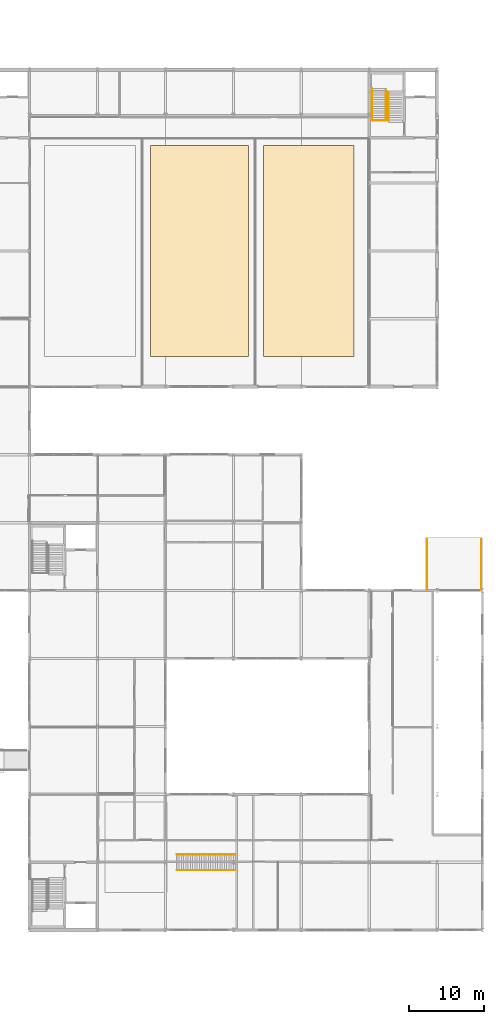
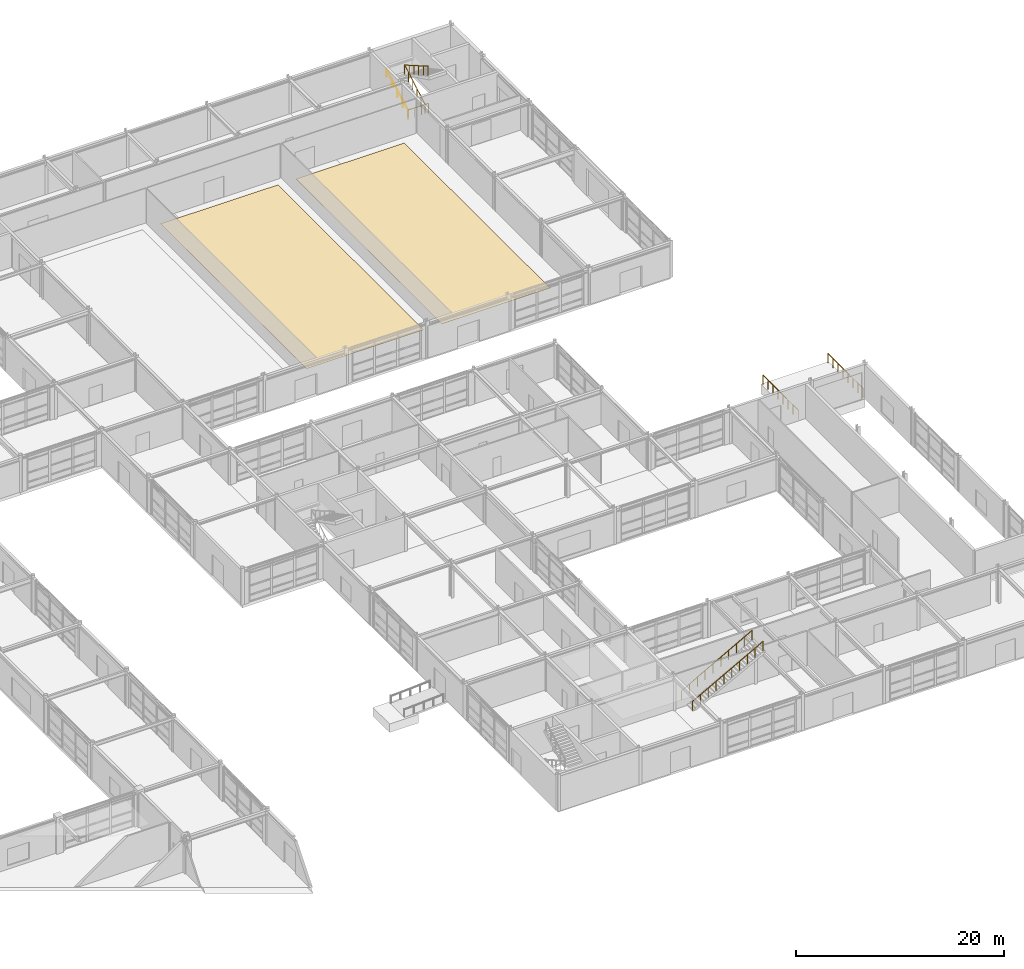
# One storey, part 72 of 72: 7 railings, 2 coverings.
"""IFC4 building model written with IfcOpenShell, lengths in metres."""

from ifc_helpers import new_model, si_unit, direction, frame, origin, origin_2d, place, context, subcontext, project, spatial, polyline, circle, outline, extrude, material, layer, layer_set, type_object, element, save


model = new_model("IFC4")

# Units and contexts
model_context = context("Model", 3, precision=1e-05, world=origin(), true_north=direction((0.0, 1.0)))
body_context = subcontext(model_context, "Body", "Model", "MODEL_VIEW")
ifc_project = project(units=[si_unit("LENGTHUNIT", "METRE"), si_unit("AREAUNIT", "SQUARE_METRE"), si_unit("VOLUMEUNIT", "CUBIC_METRE"), si_unit("PLANEANGLEUNIT", "RADIAN"), si_unit("MASSUNIT", "GRAM", prefix="KILO")], contexts=[model_context])

# Site, building, storey
site_placement = place(None, origin())
site = spatial("IfcSite", under=ifc_project, at=site_placement, CompositionType="ELEMENT")
building_placement = place(site_placement, origin())
building = spatial("IfcBuilding", under=site, at=building_placement, Name="Palais des Congres Ocreval", CompositionType="ELEMENT")
storey_placement = place(building_placement, origin())
storey = spatial("IfcBuildingStorey", under=building, at=storey_placement, Name="L00", CompositionType="ELEMENT", Elevation=0.0)

# Railing
ifc_material_1 = material(Name="Anodized bronze aluminium", Category="aluminium")
railing_type_1 = type_object("IfcRailingType", Name="Bronze Stair and Ramp Handrail 900", PredefinedType="HANDRAIL", material=ifc_material_1)
railing_1_placement = place(storey_placement, frame((153.3798828125, 107.35009765625, 0.159912109375)))
element("IfcRailing", 1, at=railing_1_placement, inside=storey, type_object=railing_type_1, Name="Stair Wall Handrail ST08 L00", PredefinedType="HANDRAIL", context=body_context, shape_type="SweptSolid", body=[
    extrude(circle(Radius=0.02392578125, at=origin_2d()), frame((0.0, 0.0, 0.8759765625), z_axis=(0.0, 0.882351521365, 0.470590897432), x_axis=(-1.0, 0.0, 0.0)), (0.0, 0.0, 1.0), 4.760009765625),
    extrude(circle(Radius=0.02099609375, at=origin_2d()), origin(), (0.0, 0.0, 1.0), 0.851806640625),
    extrude(circle(Radius=0.02099609375, at=origin_2d()), frame((0.0, 1.050048828125, 0.56005859375)), (0.0, 0.0, 1.0), 0.851806640625),
    extrude(circle(Radius=0.02099609375, at=origin_2d()), frame((0.0, 2.10009765625, 1.1201171875)), (0.0, 0.0, 1.0), 0.851806640625),
    extrude(circle(Radius=0.02099609375, at=origin_2d()), frame((0.0, 3.14990234375, 1.679931640625)), (0.0, 0.0, 1.0), 0.851806640625),
    extrude(circle(Radius=0.02099609375, at=origin_2d()), frame((0.0, 4.199951171875, 2.239990234375)), (0.0, 0.0, 1.0), 0.851806640625),
])

# Coverings
ifc_material_2 = material(Name="Solid French oak", Category="wood")
ifc_layer = layer(ifc_material_2, 0.02490234375)
ifc_layer_set = layer_set([ifc_layer], Name="French Oak and Lutetian Stone Flooring 25 (Solid French oak)")
covering_type = type_object("IfcCoveringType", Name="French Oak and Lutetian Stone Flooring 25", PredefinedType="FLOORING", material=ifc_layer_set)
covering_1_placement = place(storey_placement, origin())
element("IfcCovering", 2, at=covering_1_placement, inside=storey, type_object=covering_type, Name="Ballroom Salon B Parquet Flooring", PredefinedType="FLOORING", context=body_context, shape_type="SweptSolid", body=[
    extrude(outline(polyline([(124.0, 76.0), (137.0, 76.0), (137.0, 104.0), (124.0, 104.0), (124.0, 76.0)])), origin(), (0.0, 0.0, 1.0), 0.02490234375),
])
covering_2_placement = place(storey_placement, origin())
element("IfcCovering", 3, at=covering_2_placement, inside=storey, type_object=covering_type, Name="Ballroom Salon C Parquet Flooring", PredefinedType="FLOORING", context=body_context, shape_type="SweptSolid", body=[
    extrude(outline(polyline([(139.0, 76.0), (151.0, 76.0), (151.0, 104.0), (139.0, 104.0), (139.0, 76.0)])), origin(), (0.0, 0.0, 1.0), 0.02490234375),
])

# Railings
ifc_material_3 = material(Name="Steel S355", Category="steel")
railing_type_2 = type_object("IfcRailingType", Name="Stairwell Steel Guardrail 1100", PredefinedType="GUARDRAIL", material=ifc_material_3)
railing_2_placement = place(storey_placement, frame((153.320068359375, 107.300048828125, 0.0)))
element("IfcRailing", 4, at=railing_2_placement, inside=storey, type_object=railing_type_2, Name="Stairwell Landing Edge Guard ST08 L00", PredefinedType="GUARDRAIL", context=body_context, shape_type="SweptSolid", body=[
    extrude(circle(Radius=0.02392578125, at=origin_2d()), frame((0.0, 0.0, 1.076171875), z_axis=(1.0, 0.0, 0.0), x_axis=(0.0, 1.0, 0.0)), (0.0, 0.0, 1.0), 2.25),
    extrude(circle(Radius=0.02099609375, at=origin_2d()), origin(), (0.0, 0.0, 1.0), 1.052001953125),
    extrude(circle(Radius=0.02099609375, at=origin_2d()), frame((0.75, 0.0, 0.0)), (0.0, 0.0, 1.0), 1.052001953125),
    extrude(circle(Radius=0.02099609375, at=origin_2d()), frame((1.5, 0.0, 0.0)), (0.0, 0.0, 1.0), 1.052001953125),
    extrude(circle(Radius=0.02099609375, at=origin_2d()), frame((2.25, 0.0, 0.0)), (0.0, 0.0, 1.0), 1.052001953125),
])
railing_3_placement = place(storey_placement, frame((155.22998046875, 107.35009765625, 0.0)))
element("IfcRailing", 5, at=railing_3_placement, inside=storey, type_object=railing_type_2, Name="Stair Inner Guardrail ST08 L00", PredefinedType="GUARDRAIL", context=body_context, shape_type="SweptSolid", body=[
    extrude(circle(Radius=0.02392578125, at=origin_2d()), frame((0.0, 0.0, 1.076171875), z_axis=(0.0, 0.867141957756, 0.498061065632), x_axis=(-1.0, 0.0, 0.0)), (0.0, 0.0, 1.0), 4.497314453125),
    extrude(circle(Radius=0.02392578125, at=origin_2d()), frame((0.0, 3.89990234375, 3.31591796875), z_axis=(0.749869273535, -0.661586028123, 0.0), x_axis=(0.661586028123, 0.749869273535, 0.0)), (0.0, 0.0, 1.0), 0.45361328125),
    extrude(circle(Radius=0.02392578125, at=origin_2d()), frame((0.340087890625, 3.599853515625, 3.31591796875), z_axis=(0.0, -0.865848115047, 0.500306947453), x_axis=(1.0, 0.0, 0.0)), (0.0, 0.0, 1.0), 4.15771484375),
    extrude(circle(Radius=0.02099609375, at=origin_2d()), origin(), (0.0, 0.0, 1.0), 1.052001953125),
    extrude(circle(Radius=0.02099609375, at=origin_2d()), frame((0.0, 0.780029296875, 0.447998046875)), (0.0, 0.0, 1.0), 1.052001953125),
    extrude(circle(Radius=0.02099609375, at=origin_2d()), frame((0.0, 1.56005859375, 0.89599609375)), (0.0, 0.0, 1.0), 1.052001953125),
    extrude(circle(Radius=0.02099609375, at=origin_2d()), frame((0.0, 2.33984375, 1.343994140625)), (0.0, 0.0, 1.0), 1.052001953125),
    extrude(circle(Radius=0.02099609375, at=origin_2d()), frame((0.0, 3.119873046875, 1.7919921875)), (0.0, 0.0, 1.0), 1.052001953125),
    extrude(circle(Radius=0.02099609375, at=origin_2d()), frame((0.0, 3.89990234375, 2.239990234375)), (0.0, 0.0, 1.0), 1.052001953125),
    extrude(circle(Radius=0.02099609375, at=origin_2d()), frame((0.340087890625, 3.599853515625, 2.239990234375)), (0.0, 0.0, 1.0), 1.052001953125),
    extrude(circle(Radius=0.02099609375, at=origin_2d()), frame((0.340087890625, 2.699951171875, 2.760009765625)), (0.0, 0.0, 1.0), 1.052001953125),
    extrude(circle(Radius=0.02099609375, at=origin_2d()), frame((0.340087890625, 1.7998046875, 3.280029296875)), (0.0, 0.0, 1.0), 1.052001953125),
    extrude(circle(Radius=0.02099609375, at=origin_2d()), frame((0.340087890625, 0.89990234375, 3.800048828125)), (0.0, 0.0, 1.0), 1.052001953125),
    extrude(circle(Radius=0.02099609375, at=origin_2d()), frame((0.340087890625, 0.0, 4.320068359375)), (0.0, 0.0, 1.0), 1.052001953125),
])
for number, where, name in (
    (6, (127.5, 7.949951171875, 0.0), "Feature Stair Flight Guard ST12-S"),
    (7, (127.5, 10.050048828125, 0.0), "Feature Stair Flight Guard ST12-N"),
):
    element("IfcRailing", number, at=place(storey_placement, frame(where)), inside=storey, type_object=railing_type_2, Name=name, PredefinedType="GUARDRAIL", context=body_context, shape_type="SweptSolid", body=[
        extrude(circle(Radius=0.02392578125, at=origin_2d()), frame((0.0, 0.0, 1.076171875), z_axis=(0.874789392159, 0.0, 0.484503373948), x_axis=(0.0, 1.0, 0.0)), (0.0, 0.0, 1.0), 8.91650390625),
        extrude(circle(Radius=0.02099609375, at=origin_2d()), origin(), (0.0, 0.0, 1.0), 1.052001953125),
        extrude(circle(Radius=0.02099609375, at=origin_2d()), frame((0.86669921875, 0.0, 0.47998046875)), (0.0, 0.0, 1.0), 1.052001953125),
        extrude(circle(Radius=0.02099609375, at=origin_2d()), frame((1.7333984375, 0.0, 0.9599609375)), (0.0, 0.0, 1.0), 1.052001953125),
        extrude(circle(Radius=0.02099609375, at=origin_2d()), frame((2.60009765625, 0.0, 1.43994140625)), (0.0, 0.0, 1.0), 1.052001953125),
        extrude(circle(Radius=0.02099609375, at=origin_2d()), frame((3.466796875, 0.0, 1.919921875)), (0.0, 0.0, 1.0), 1.052001953125),
        extrude(circle(Radius=0.02099609375, at=origin_2d()), frame((4.333251953125, 0.0, 2.400146484375)), (0.0, 0.0, 1.0), 1.052001953125),
        extrude(circle(Radius=0.02099609375, at=origin_2d()), frame((5.199951171875, 0.0, 2.880126953125)), (0.0, 0.0, 1.0), 1.052001953125),
        extrude(circle(Radius=0.02099609375, at=origin_2d()), frame((6.066650390625, 0.0, 3.360107421875)), (0.0, 0.0, 1.0), 1.052001953125),
        extrude(circle(Radius=0.02099609375, at=origin_2d()), frame((6.933349609375, 0.0, 3.840087890625)), (0.0, 0.0, 1.0), 1.052001953125),
        extrude(circle(Radius=0.02099609375, at=origin_2d()), frame((7.800048828125, 0.0, 4.320068359375)), (0.0, 0.0, 1.0), 1.052001953125),
    ])
for number, where, name in (
    (8, (160.64990234375, 45.10009765625, 0.0), "Vehicle Ramp Apron W Side Guardrail"),
    (9, (167.85009765625, 45.10009765625, 0.0), "Vehicle Ramp Apron E Side Guardrail"),
):
    element("IfcRailing", number, at=place(storey_placement, frame(where)), inside=storey, type_object=railing_type_2, Name=name, PredefinedType="GUARDRAIL", context=body_context, shape_type="SweptSolid", body=[
        extrude(circle(Radius=0.02392578125, at=origin_2d()), frame((0.0, 0.0, 1.076171875), z_axis=(0.0, 1.0, 0.0), x_axis=(-1.0, 0.0, 0.0)), (0.0, 0.0, 1.0), 6.75),
        extrude(circle(Radius=0.02099609375, at=origin_2d()), origin(), (0.0, 0.0, 1.0), 1.052001953125),
        extrude(circle(Radius=0.02099609375, at=origin_2d()), frame((0.0, 0.96435546875, 0.0)), (0.0, 0.0, 1.0), 1.052001953125),
        extrude(circle(Radius=0.02099609375, at=origin_2d()), frame((0.0, 1.928466796875, 0.0)), (0.0, 0.0, 1.0), 1.052001953125),
        extrude(circle(Radius=0.02099609375, at=origin_2d()), frame((0.0, 2.892822265625, 0.0)), (0.0, 0.0, 1.0), 1.052001953125),
        extrude(circle(Radius=0.02099609375, at=origin_2d()), frame((0.0, 3.857177734375, 0.0)), (0.0, 0.0, 1.0), 1.052001953125),
        extrude(circle(Radius=0.02099609375, at=origin_2d()), frame((0.0, 4.821533203125, 0.0)), (0.0, 0.0, 1.0), 1.052001953125),
        extrude(circle(Radius=0.02099609375, at=origin_2d()), frame((0.0, 5.78564453125, 0.0)), (0.0, 0.0, 1.0), 1.052001953125),
        extrude(circle(Radius=0.02099609375, at=origin_2d()), frame((0.0, 6.75, 0.0)), (0.0, 0.0, 1.0), 1.052001953125),
    ])

save(model, "model.ifc")
